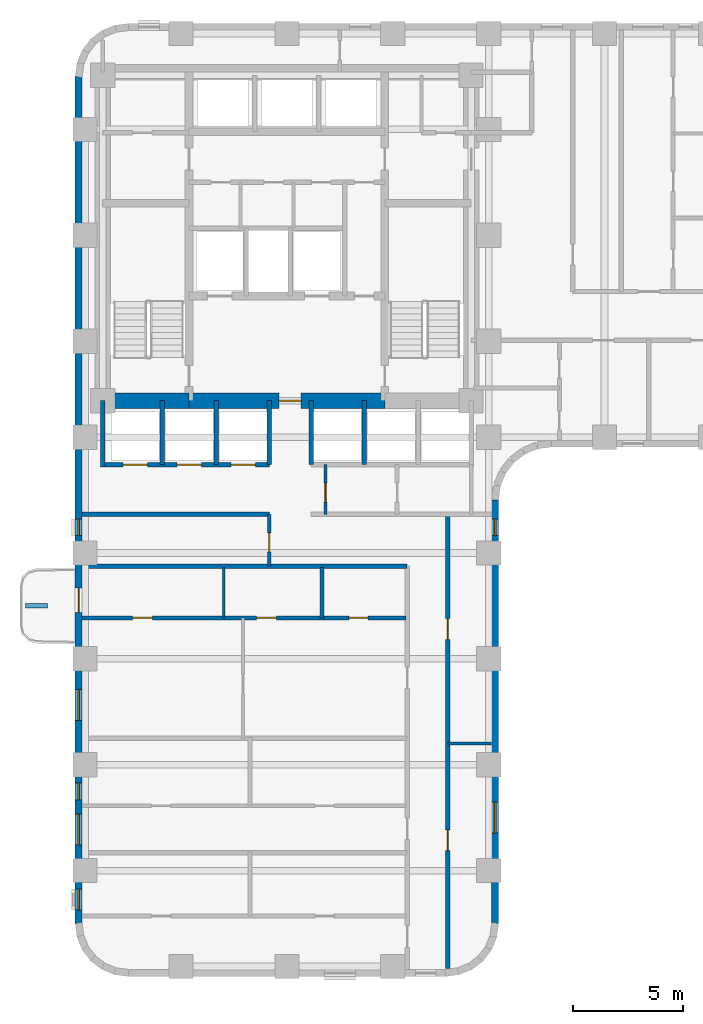
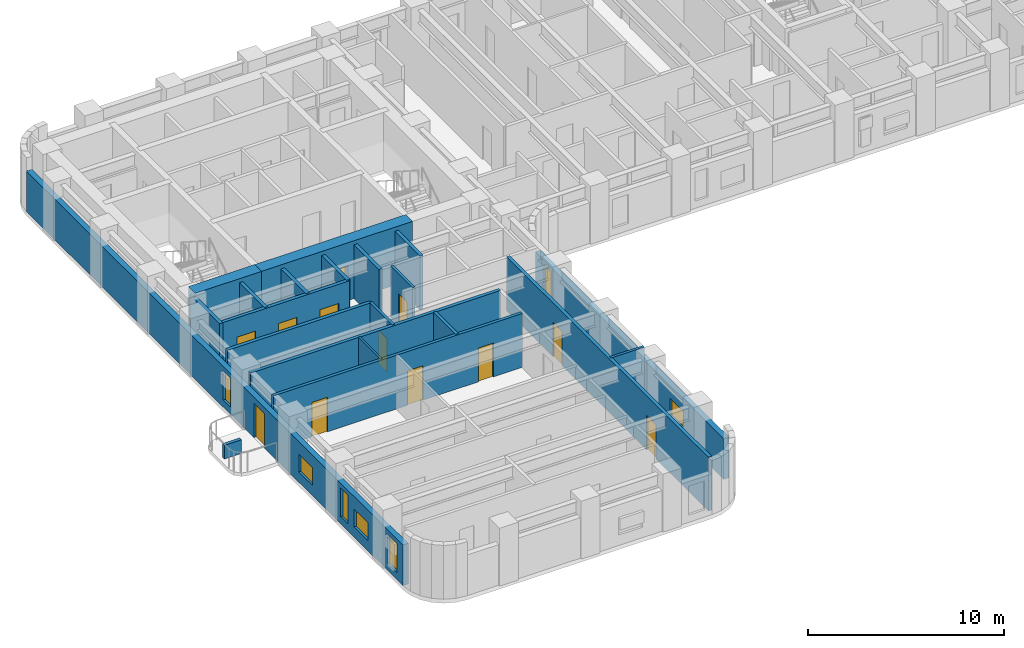
# One storey, part 3 of 11: 21 walls, 12 doors, 7 windows, 19 openings.
"""IFC4 building model written with IfcOpenShell, lengths in metres."""

from ifc_helpers import new_model, si_unit, direction, frame, frame_2d, origin, place, context, subcontext, project, spatial, rectangle, extrude, material, layer, layer_set, type_object, element, fill, save


model = new_model("IFC4")

# Units and contexts
model_context = context("Model", 3, precision=1e-05, world=origin(), true_north=direction((0.0, 1.0)))
body_context = subcontext(model_context, "Body", "Model", "MODEL_VIEW")
ifc_project = project(units=[si_unit("LENGTHUNIT", "METRE"), si_unit("AREAUNIT", "SQUARE_METRE"), si_unit("VOLUMEUNIT", "CUBIC_METRE"), si_unit("PLANEANGLEUNIT", "RADIAN"), si_unit("MASSUNIT", "GRAM", prefix="KILO")], contexts=[model_context])

# Site, building, storey
site_placement = place(None, origin())
site = spatial("IfcSite", under=ifc_project, at=site_placement, CompositionType="ELEMENT")
building_placement = place(site_placement, origin())
building = spatial("IfcBuilding", under=site, at=building_placement, Name="Orvandelia Arch Residences", CompositionType="ELEMENT")
storey_placement = place(building_placement, frame((0.0, 0.0, 82.60009765625)))
storey = spatial("IfcBuildingStorey", under=building, at=storey_placement, Name="L21", CompositionType="ELEMENT", Elevation=82.60009765625)

# Wall
ifc_material_1 = material(Name="Concrete C80/95", Category="concrete")
ifc_layer_1 = layer(ifc_material_1, 0.699951171875, Name="Concrete C80/95", Category="concrete")
ifc_layer_set_1 = layer_set([ifc_layer_1], Name="Concrete C80/95")
wall_type_1 = type_object("IfcWallType", Name="WL-CORE-700", PredefinedType="SHEAR", material=ifc_layer_set_1)
wall_1_placement = place(storey_placement, frame((6.050048828125, 30.89990234375, 0.0), z_axis=(0.0, 0.0, 1.0), x_axis=(1.0, 0.0, 0.0)))
element("IfcWall", 1, at=wall_1_placement, inside=storey, type_object=wall_type_1, Name="Core Shear Wall L21-SW", PredefinedType="SHEAR", context=body_context, shape_type="SweptSolid", body=[
    extrude(rectangle(XDim=3.909912109375, YDim=0.699951171875, at=frame_2d((1.955078125, 0.0))), origin(), (0.0, 0.0, 1.0), 3.599853515625),
])

# Wall, opening, door
wall_2_placement = place(storey_placement, frame((9.9599609375, 30.89990234375, 0.0), z_axis=(0.0, 0.0, 1.0), x_axis=(1.0, 0.0, 0.0)))
wall_2 = element("IfcWall", 2, at=wall_2_placement, inside=storey, type_object=wall_type_1, Name="Core Shear Wall L21-SM", PredefinedType="SHEAR", context=body_context, shape_type="SweptSolid", body=[
    extrude(rectangle(XDim=8.880126953125, YDim=0.699951171875, at=frame_2d((4.43994140625, 0.0))), origin(), (0.0, 0.0, 1.0), 3.599853515625),
])
opening_1_placement = place(wall_2_placement, frame((4.090087890625, 0.0, 0.0)))
opening_1 = element("IfcOpeningElement", 3, at=opening_1_placement, cuts=wall_2, Name="Opening D6", PredefinedType="OPENING", context=body_context, shape_type="SweptSolid", body=[
    extrude(rectangle(XDim=1.0, YDim=2.14990234375, at=frame_2d((0.5, 1.074951171875))), frame((0.0, 0.35986328125, 0.0), z_axis=(0.0, -1.0, 0.0), x_axis=(1.0, 0.0, 0.0)), (0.0, 0.0, 1.0), 0.719970703125),
])
ifc_material_2 = material(Name="Smokeproof Painted Steel Fire Door", Category="steel")
door_type_1 = type_object("IfcDoorType", Name="DR-FD60-1000", OperationType="NOTDEFINED", PredefinedType="DOOR", material=ifc_material_2)
door_1_placement = place(opening_1_placement, origin())
door_1 = element("IfcDoor", 4, at=door_1_placement, inside=storey, type_object=door_type_1, Name="Firefighting Lobby Smokeproof Door L21", OperationType="SINGLE_SWING_LEFT", OverallHeight=2.14990234375, OverallWidth=1.0, PredefinedType="DOOR", context=body_context, shape_type="SweptSolid", body=[
    extrude(rectangle(XDim=1.0, YDim=2.14990234375, at=frame_2d((0.5, 1.074951171875))), frame((0.0, 0.02490234375, 0.0), z_axis=(0.0, -1.0, 0.0), x_axis=(1.0, 0.0, 0.0)), (0.0, 0.0, 1.0), 0.050048828125),
])
fill(opening_1, door_1)

# Wall, openings, doors
ifc_material_3 = material(Name="Fire-Rated Corridor Partition")
ifc_layer_2 = layer(ifc_material_3, 0.199951171875, Name="Fire-Rated Corridor Partition")
ifc_layer_set_2 = layer_set([ifc_layer_2], Name="Fire-Rated Corridor Partition")
wall_type_2 = type_object("IfcWallType", Name="WL-CORR-200", PredefinedType="PARTITIONING", material=ifc_layer_set_2)
wall_3_placement = place(storey_placement, frame((21.699951171875, 5.159912109375, 0.0), z_axis=(0.0, 0.0, 1.0), x_axis=(0.0, 1.0, 0.0)))
wall_3 = element("IfcWall", 5, at=wall_3_placement, inside=storey, type_object=wall_type_2, Name="Interior Partition Wall WL-L21-WC-E", PredefinedType="PARTITIONING", context=body_context, shape_type="SweptSolid", body=[
    extrude(rectangle(XDim=20.590087890625, YDim=0.199951171875, at=frame_2d((10.294921875, 0.0))), origin(), (0.0, 0.0, 1.0), 3.349853515625),
])
opening_2_placement = place(wall_3_placement, frame((5.340087890625, 0.0, 0.0)))
opening_2 = element("IfcOpeningElement", 6, at=opening_2_placement, cuts=wall_3, Name="Opening D2", PredefinedType="OPENING", context=body_context, shape_type="SweptSolid", body=[
    extrude(rectangle(XDim=0.949951171875, YDim=2.14990234375, at=frame_2d((0.47509765625, 1.074951171875))), frame((0.0, 0.10986328125, 0.0), z_axis=(0.0, -1.0, 0.0), x_axis=(1.0, 0.0, 0.0)), (0.0, 0.0, 1.0), 0.219970703125),
])
opening_3_placement = place(wall_3_placement, frame((14.909912109375, 0.0, 0.0)))
opening_3 = element("IfcOpeningElement", 7, at=opening_3_placement, cuts=wall_3, Name="Opening D2", PredefinedType="OPENING", context=body_context, shape_type="SweptSolid", body=[
    extrude(rectangle(XDim=0.949951171875, YDim=2.14990234375, at=frame_2d((0.47509765625, 1.074951171875))), frame((0.0, 0.10986328125, 0.0), z_axis=(0.0, -1.0, 0.0), x_axis=(1.0, 0.0, 0.0)), (0.0, 0.0, 1.0), 0.219970703125),
])
ifc_material_4 = material(Name="Solid-Core Timber Interior Fire Door", Category="wood")
door_type_2 = type_object("IfcDoorType", Name="DR-APT-950", OperationType="NOTDEFINED", PredefinedType="DOOR", material=ifc_material_4)
door_2_placement = place(opening_2_placement, origin())
door_2 = element("IfcDoor", 8, at=door_2_placement, inside=storey, type_object=door_type_2, Name="DR-L21-EGALV1", OperationType="SINGLE_SWING_LEFT", OverallHeight=2.14990234375, OverallWidth=0.949951171875, PredefinedType="DOOR", context=body_context, shape_type="SweptSolid", body=[
    extrude(rectangle(XDim=0.949951171875, YDim=2.14990234375, at=frame_2d((0.47509765625, 1.074951171875))), frame((0.0, 0.02490234375, 0.0), z_axis=(0.0, -1.0, 0.0), x_axis=(1.0, 0.0, 0.0)), (0.0, 0.0, 1.0), 0.050048828125),
])
fill(opening_2, door_2)
door_3_placement = place(opening_3_placement, origin())
door_3 = element("IfcDoor", 9, at=door_3_placement, inside=storey, type_object=door_type_2, Name="DR-L21-EGLDY1", OperationType="SINGLE_SWING_RIGHT", OverallHeight=2.14990234375, OverallWidth=0.949951171875, PredefinedType="DOOR", context=body_context, shape_type="SweptSolid", body=[
    extrude(rectangle(XDim=0.949951171875, YDim=2.14990234375, at=frame_2d((0.47509765625, 1.074951171875))), frame((0.0, 0.02490234375, 0.0), z_axis=(0.0, -1.0, 0.0), x_axis=(1.0, 0.0, 0.0)), (0.0, 0.0, 1.0), 0.050048828125),
])
fill(opening_3, door_3)

# Walls
wall_4_placement = place(storey_placement, frame((5.1201171875, 23.39990234375, 0.0), z_axis=(0.0, 0.0, 1.0), x_axis=(1.0, 0.0, 0.0)))
element("IfcWall", 10, at=wall_4_placement, inside=storey, type_object=wall_type_2, Name="Interior Partition Wall WL-L21-WLNK-S", PredefinedType="PARTITIONING", context=body_context, shape_type="SweptSolid", body=[
    extrude(rectangle(XDim=14.72998046875, YDim=0.199951171875, at=frame_2d((7.364990234375, 0.0))), origin(), (0.0, 0.0, 1.0), 3.349853515625),
])
wall_5_placement = place(storey_placement, frame((5.1201171875, 25.75, 0.0), z_axis=(0.0, 0.0, 1.0), x_axis=(1.0, 0.0, 0.0)))
element("IfcWall", 11, at=wall_5_placement, inside=storey, type_object=wall_type_2, Name="Interior Partition Wall WL-L21-WLNK-NW2", PredefinedType="PARTITIONING", context=body_context, shape_type="SweptSolid", body=[
    extrude(rectangle(XDim=8.47998046875, YDim=0.199951171875, at=frame_2d((4.239990234375, 0.0))), origin(), (0.0, 0.0, 1.0), 3.349853515625),
])

# Wall, openings, windows
ifc_material_5 = material(Name="Precast concrete C40/50", Category="concrete")
ifc_layer_3 = layer(ifc_material_5, 0.320068359375, Name="Precast concrete C40/50", Category="concrete")
ifc_layer_set_3 = layer_set([ifc_layer_3], Name="Precast concrete C40/50")
wall_type_3 = type_object("IfcWallType", Name="WL-EXT-STONE-320", PredefinedType="STANDARD", material=ifc_layer_set_3)
wall_6_placement = place(storey_placement, frame((23.840087890625, 26.39990234375, 0.0), z_axis=(0.0, 0.0, 1.0), x_axis=(0.0, -1.0, 0.0)))
wall_6 = element("IfcWall", 12, at=wall_6_placement, inside=storey, type_object=wall_type_3, Name="Coral-Limestone Precast Facade Wall L21-028", PredefinedType="STANDARD", context=body_context, shape_type="SweptSolid", body=[
    extrude(rectangle(XDim=19.199951171875, YDim=0.320068359375, at=frame_2d((9.60009765625, 0.0))), origin(), (0.0, 0.0, 1.0), 2.52978515625),
])
opening_4_placement = place(wall_6_placement, frame((13.699951171875, 0.0, 0.64990234375)))
opening_4 = element("IfcOpeningElement", 13, at=opening_4_placement, cuts=wall_6, Name="Opening W10", PredefinedType="OPENING", context=body_context, shape_type="SweptSolid", body=[
    extrude(rectangle(XDim=1.39990234375, YDim=1.10009765625, at=frame_2d((0.699951171875, 0.550048828125))), frame((0.0, 0.169921875, 0.0), z_axis=(0.0, -1.0, 0.0), x_axis=(1.0, 0.0, 0.0)), (0.0, 0.0, 1.0), 0.340087890625),
])
opening_5_placement = place(wall_6_placement, frame((0.864990234375, 0.0, 0.449951171875)))
opening_5 = element("IfcOpeningElement", 14, at=opening_5_placement, cuts=wall_6, Name="Opening W11", PredefinedType="OPENING", context=body_context, shape_type="SweptSolid", body=[
    extrude(rectangle(XDim=0.75, YDim=1.800048828125, at=frame_2d((0.375, 0.89990234375))), frame((0.0, 0.169921875, 0.0), z_axis=(0.0, -1.0, 0.0), x_axis=(1.0, 0.0, 0.0)), (0.0, 0.0, 1.0), 0.340087890625),
])
ifc_material_6 = material(Name="Tempered Low-E Insulated Glazing", Category="glass")
window_type_1 = type_object("IfcWindowType", Name="WIN-BED-0750x1800", PartitioningType="SINGLE_PANEL", PredefinedType="WINDOW", material=ifc_material_6)
window_1_placement = place(opening_5_placement, origin())
window_1 = element("IfcWindow", 15, at=window_1_placement, inside=storey, type_object=window_type_1, Name="Recessed Punched Window L21-023", OverallHeight=1.800048828125, OverallWidth=0.75, PartitioningType="SINGLE_PANEL", PredefinedType="WINDOW", context=body_context, shape_type="SweptSolid", body=[
    extrude(rectangle(XDim=0.75, YDim=1.800048828125, at=frame_2d((0.375, 0.89990234375))), frame((0.0, 0.030029296875, 0.0), z_axis=(0.0, -1.0, 0.0), x_axis=(1.0, 0.0, 0.0)), (0.0, 0.0, 1.0), 0.06005859375),
])
fill(opening_5, window_1)
window_type_2 = type_object("IfcWindowType", Name="WIN-CLR-1400x1100", PartitioningType="SINGLE_PANEL", PredefinedType="WINDOW", material=ifc_material_6)
window_2_placement = place(opening_4_placement, origin())
window_2 = element("IfcWindow", 16, at=window_2_placement, inside=storey, type_object=window_type_2, Name="Recessed Punched Window L21-022", OverallHeight=1.10009765625, OverallWidth=1.39990234375, PartitioningType="SINGLE_PANEL", PredefinedType="WINDOW", context=body_context, shape_type="SweptSolid", body=[
    extrude(rectangle(XDim=1.39990234375, YDim=1.10009765625, at=frame_2d((0.699951171875, 0.550048828125))), frame((0.0, 0.030029296875, 0.0), z_axis=(0.0, -1.0, 0.0), x_axis=(1.0, 0.0, 0.0)), (0.0, 0.0, 1.0), 0.06005859375),
])
fill(opening_4, window_2)

# Wall, openings, door, windows
wall_7_placement = place(storey_placement, frame((4.9599609375, 7.199951171875, 0.0), z_axis=(0.0, 0.0, 1.0), x_axis=(0.0, 1.0, 0.0)))
wall_7 = element("IfcWall", 17, at=wall_7_placement, inside=storey, type_object=wall_type_3, Name="Coral-Limestone Precast Facade Wall L21-042", PredefinedType="STANDARD", context=body_context, shape_type="SweptSolid", body=[
    extrude(rectangle(XDim=38.400146484375, YDim=0.320068359375, at=frame_2d((19.2001953125, 0.0))), origin(), (0.0, 0.0, 1.0), 2.52978515625),
])
opening_6_placement = place(wall_7_placement, frame((14.10009765625, 0.0, 0.0)))
opening_6 = element("IfcOpeningElement", 18, at=opening_6_placement, cuts=wall_7, Name="Opening BD1", PredefinedType="OPENING", context=body_context, shape_type="SweptSolid", body=[
    extrude(rectangle(XDim=1.10009765625, YDim=2.14990234375, at=frame_2d((0.550048828125, 1.074951171875))), frame((0.0, 0.169921875, 0.0), z_axis=(0.0, -1.0, 0.0), x_axis=(1.0, 0.0, 0.0)), (0.0, 0.0, 1.0), 0.340087890625),
])
opening_7_placement = place(wall_7_placement, frame((3.570068359375, 0.0, 0.64990234375)))
opening_7 = element("IfcOpeningElement", 19, at=opening_7_placement, cuts=wall_7, Name="Opening W10", PredefinedType="OPENING", context=body_context, shape_type="SweptSolid", body=[
    extrude(rectangle(XDim=1.39990234375, YDim=1.10009765625, at=frame_2d((0.699951171875, 0.550048828125))), frame((0.0, 0.169921875, 0.0), z_axis=(0.0, -1.0, 0.0), x_axis=(1.0, 0.0, 0.0)), (0.0, 0.0, 1.0), 0.340087890625),
])
opening_8_placement = place(wall_7_placement, frame((0.611083984375, 0.0, 0.449951171875)))
opening_8 = element("IfcOpeningElement", 20, at=opening_8_placement, cuts=wall_7, Name="Opening W4", PredefinedType="OPENING", context=body_context, shape_type="SweptSolid", body=[
    extrude(rectangle(XDim=0.949951171875, YDim=1.800048828125, at=frame_2d((0.47509765625, 0.89990234375))), frame((0.0, 0.169921875, 0.0), z_axis=(0.0, -1.0, 0.0), x_axis=(1.0, 0.0, 0.0)), (0.0, 0.0, 1.0), 0.340087890625),
])
opening_9_placement = place(wall_7_placement, frame((5.610107421875, 0.0, 0.449951171875)))
opening_9 = element("IfcOpeningElement", 21, at=opening_9_placement, cuts=wall_7, Name="Opening W11", PredefinedType="OPENING", context=body_context, shape_type="SweptSolid", body=[
    extrude(rectangle(XDim=0.75, YDim=1.800048828125, at=frame_2d((0.375, 0.89990234375))), frame((0.0, 0.169921875, 0.0), z_axis=(0.0, -1.0, 0.0), x_axis=(1.0, 0.0, 0.0)), (0.0, 0.0, 1.0), 0.340087890625),
])
opening_10_placement = place(wall_7_placement, frame((9.215087890625, 0.0, 0.64990234375)))
opening_10 = element("IfcOpeningElement", 22, at=opening_10_placement, cuts=wall_7, Name="Opening W10", PredefinedType="OPENING", context=body_context, shape_type="SweptSolid", body=[
    extrude(rectangle(XDim=1.39990234375, YDim=1.10009765625, at=frame_2d((0.699951171875, 0.550048828125))), frame((0.0, 0.169921875, 0.0), z_axis=(0.0, -1.0, 0.0), x_axis=(1.0, 0.0, 0.0)), (0.0, 0.0, 1.0), 0.340087890625),
])
opening_11_placement = place(wall_7_placement, frame((17.580078125, 0.0, 0.449951171875)))
opening_11 = element("IfcOpeningElement", 23, at=opening_11_placement, cuts=wall_7, Name="Opening W11", PredefinedType="OPENING", context=body_context, shape_type="SweptSolid", body=[
    extrude(rectangle(XDim=0.75, YDim=1.800048828125, at=frame_2d((0.375, 0.89990234375))), frame((0.0, 0.169921875, 0.0), z_axis=(0.0, -1.0, 0.0), x_axis=(1.0, 0.0, 0.0)), (0.0, 0.0, 1.0), 0.340087890625),
])
ifc_material_7 = material(Name="Thermally Broken Aluminium Glazed Door", Category="aluminium")
door_type_3 = type_object("IfcDoorType", Name="DR-BAL-GLAZ-1100", OperationType="NOTDEFINED", PredefinedType="DOOR", material=ifc_material_7)
door_4_placement = place(opening_6_placement, origin())
door_4 = element("IfcDoor", 24, at=door_4_placement, inside=storey, type_object=door_type_3, Name="Tree Balcony Glazed Door BAL-L21-W1", OperationType="SINGLE_SWING_RIGHT", OverallHeight=2.14990234375, OverallWidth=1.10009765625, PredefinedType="DOOR", context=body_context, shape_type="SweptSolid", body=[
    extrude(rectangle(XDim=1.10009765625, YDim=2.14990234375, at=frame_2d((0.550048828125, 1.074951171875))), frame((0.0, 0.02490234375, 0.0), z_axis=(0.0, -1.0, 0.0), x_axis=(1.0, 0.0, 0.0)), (0.0, 0.0, 1.0), 0.050048828125),
])
fill(opening_6, door_4)
window_3_placement = place(opening_9_placement, origin())
window_3 = element("IfcWindow", 25, at=window_3_placement, inside=storey, type_object=window_type_1, Name="Recessed Punched Window L21-028", OverallHeight=1.800048828125, OverallWidth=0.75, PartitioningType="SINGLE_PANEL", PredefinedType="WINDOW", context=body_context, shape_type="SweptSolid", body=[
    extrude(rectangle(XDim=0.75, YDim=1.800048828125, at=frame_2d((0.375, 0.89990234375))), frame((0.0, 0.030029296875, 0.0), z_axis=(0.0, -1.0, 0.0), x_axis=(1.0, 0.0, 0.0)), (0.0, 0.0, 1.0), 0.06005859375),
])
fill(opening_9, window_3)
window_4_placement = place(opening_11_placement, origin())
window_4 = element("IfcWindow", 26, at=window_4_placement, inside=storey, type_object=window_type_1, Name="Recessed Punched Window L21-030", OverallHeight=1.800048828125, OverallWidth=0.75, PartitioningType="SINGLE_PANEL", PredefinedType="WINDOW", context=body_context, shape_type="SweptSolid", body=[
    extrude(rectangle(XDim=0.75, YDim=1.800048828125, at=frame_2d((0.375, 0.89990234375))), frame((0.0, 0.030029296875, 0.0), z_axis=(0.0, -1.0, 0.0), x_axis=(1.0, 0.0, 0.0)), (0.0, 0.0, 1.0), 0.06005859375),
])
fill(opening_11, window_4)
window_5_placement = place(opening_7_placement, origin())
window_5 = element("IfcWindow", 27, at=window_5_placement, inside=storey, type_object=window_type_2, Name="Recessed Punched Window L21-026", OverallHeight=1.10009765625, OverallWidth=1.39990234375, PartitioningType="SINGLE_PANEL", PredefinedType="WINDOW", context=body_context, shape_type="SweptSolid", body=[
    extrude(rectangle(XDim=1.39990234375, YDim=1.10009765625, at=frame_2d((0.699951171875, 0.550048828125))), frame((0.0, 0.030029296875, 0.0), z_axis=(0.0, -1.0, 0.0), x_axis=(1.0, 0.0, 0.0)), (0.0, 0.0, 1.0), 0.06005859375),
])
fill(opening_7, window_5)
window_6_placement = place(opening_10_placement, origin())
window_6 = element("IfcWindow", 28, at=window_6_placement, inside=storey, type_object=window_type_2, Name="Recessed Punched Window L21-029", OverallHeight=1.10009765625, OverallWidth=1.39990234375, PartitioningType="SINGLE_PANEL", PredefinedType="WINDOW", context=body_context, shape_type="SweptSolid", body=[
    extrude(rectangle(XDim=1.39990234375, YDim=1.10009765625, at=frame_2d((0.699951171875, 0.550048828125))), frame((0.0, 0.030029296875, 0.0), z_axis=(0.0, -1.0, 0.0), x_axis=(1.0, 0.0, 0.0)), (0.0, 0.0, 1.0), 0.06005859375),
])
fill(opening_10, window_6)
window_type_3 = type_object("IfcWindowType", Name="WIN-RES-0950x1800", PartitioningType="SINGLE_PANEL", PredefinedType="WINDOW", material=ifc_material_6)
window_7_placement = place(opening_8_placement, origin())
window_7 = element("IfcWindow", 29, at=window_7_placement, inside=storey, type_object=window_type_3, Name="Recessed Punched Window L21-027", OverallHeight=1.800048828125, OverallWidth=0.949951171875, PartitioningType="SINGLE_PANEL", PredefinedType="WINDOW", context=body_context, shape_type="SweptSolid", body=[
    extrude(rectangle(XDim=0.949951171875, YDim=1.800048828125, at=frame_2d((0.47509765625, 0.89990234375))), frame((0.0, 0.030029296875, 0.0), z_axis=(0.0, -1.0, 0.0), x_axis=(1.0, 0.0, 0.0)), (0.0, 0.0, 1.0), 0.06005859375),
])
fill(opening_8, window_7)

# Wall
ifc_material_8 = material(Name="Lightweight Gypsum Stud Partition")
ifc_layer_4 = layer(ifc_material_8, 0.1201171875, Name="Lightweight Gypsum Stud Partition")
ifc_layer_set_4 = layer_set([ifc_layer_4], Name="Lightweight Gypsum Stud Partition")
wall_type_4 = type_object("IfcWallType", Name="WL-PART-120", PredefinedType="PARTITIONING", material=ifc_layer_set_4)
wall_8_placement = place(storey_placement, frame((11.541015625, 21.06005859375, 0.0), z_axis=(0.0, 0.0, 1.0), x_axis=(0.0, 1.0, 0.0)))
element("IfcWall", 30, at=wall_8_placement, inside=storey, type_object=wall_type_4, Name="Interior Partition Wall WL-L21-U03-V1", PredefinedType="PARTITIONING", context=body_context, shape_type="SweptSolid", body=[
    extrude(rectangle(XDim=2.280029296875, YDim=0.1201171875, at=frame_2d((1.14013671875, 0.0))), origin(), (0.0, 0.0, 1.0), 3.349853515625),
])

# Wall, opening, door
ifc_material_9 = material(Name="Acoustic Gypsum Stud Partition")
ifc_layer_5 = layer(ifc_material_9, 0.14990234375, Name="Acoustic Gypsum Stud Partition")
ifc_layer_set_5 = layer_set([ifc_layer_5], Name="Acoustic Gypsum Stud Partition")
wall_type_5 = type_object("IfcWallType", Name="WL-PART-150", PredefinedType="PARTITIONING", material=ifc_layer_set_5)
wall_9_placement = place(storey_placement, frame((16.14990234375, 25.75, 0.0), z_axis=(0.0, 0.0, 1.0), x_axis=(0.0, 1.0, 0.0)))
wall_9 = element("IfcWall", 31, at=wall_9_placement, inside=storey, type_object=wall_type_5, Name="Interior Partition Wall WL-L21-HLS-EW", PredefinedType="PARTITIONING", context=body_context, shape_type="SweptSolid", body=[
    extrude(rectangle(XDim=2.25, YDim=0.14990234375, at=frame_2d((1.125, 0.0))), origin(), (0.0, 0.0, 1.0), 3.349853515625),
])
opening_12_placement = place(wall_9_placement, frame((0.550048828125, 0.0, 0.0)))
opening_12 = element("IfcOpeningElement", 32, at=opening_12_placement, cuts=wall_9, Name="Opening D5", PredefinedType="OPENING", context=body_context, shape_type="SweptSolid", body=[
    extrude(rectangle(XDim=0.8798828125, YDim=2.10009765625, at=frame_2d((0.43994140625, 1.050048828125))), frame((0.0, 0.0849609375, 0.0), z_axis=(0.0, -1.0, 0.0), x_axis=(1.0, 0.0, 0.0)), (0.0, 0.0, 1.0), 0.169921875),
])
ifc_material_10 = material(Name="Painted Galvanised Steel Service Door", Category="steel")
door_type_4 = type_object("IfcDoorType", Name="DR-SRV-880", OperationType="NOTDEFINED", PredefinedType="DOOR", material=ifc_material_10)
door_5_placement = place(opening_12_placement, origin())
door_5 = element("IfcDoor", 33, at=door_5_placement, inside=storey, type_object=door_type_4, Name="DR-L21-CSZ1A", OperationType="SINGLE_SWING_LEFT", OverallHeight=2.10009765625, OverallWidth=0.8798828125, PredefinedType="DOOR", context=body_context, shape_type="SweptSolid", body=[
    extrude(rectangle(XDim=0.8798828125, YDim=2.10009765625, at=frame_2d((0.43994140625, 1.050048828125))), frame((0.0, 0.02490234375, 0.0), z_axis=(0.0, -1.0, 0.0), x_axis=(1.0, 0.0, 0.0)), (0.0, 0.0, 1.0), 0.050048828125),
])
fill(opening_12, door_5)

wall_10_placement = place(storey_placement, frame((13.60009765625, 23.39990234375, 0.0), z_axis=(0.0, 0.0, 1.0), x_axis=(0.0, 1.0, 0.0)))
wall_10 = element("IfcWall", 34, at=wall_10_placement, inside=storey, type_object=wall_type_5, Name="Interior Partition Wall WL-L21-WLNK-W", PredefinedType="PARTITIONING", context=body_context, shape_type="SweptSolid", body=[
    extrude(rectangle(XDim=2.35009765625, YDim=0.14990234375, at=frame_2d((1.175048828125, 0.0))), origin(), (0.0, 0.0, 1.0), 3.349853515625),
])
opening_13_placement = place(wall_10_placement, frame((0.64990234375, 0.0, 0.0)))
opening_13 = element("IfcOpeningElement", 35, at=opening_13_placement, cuts=wall_10, Name="Opening D4", PredefinedType="OPENING", context=body_context, shape_type="SweptSolid", body=[
    extrude(rectangle(XDim=0.860107421875, YDim=2.10009765625, at=frame_2d((0.43017578125, 1.050048828125))), frame((0.0, 0.0849609375, 0.0), z_axis=(0.0, -1.0, 0.0), x_axis=(1.0, 0.0, 0.0)), (0.0, 0.0, 1.0), 0.169921875),
])
ifc_material_11 = material(Name="Moisture-Sealed Timber Bathroom Door", Category="wood")
door_type_5 = type_object("IfcDoorType", Name="DR-WET-900", OperationType="NOTDEFINED", PredefinedType="DOOR", material=ifc_material_11)
door_6_placement = place(opening_13_placement, origin())
door_6 = element("IfcDoor", 36, at=door_6_placement, inside=storey, type_object=door_type_5, Name="DR-L21-WLNKST", OperationType="SINGLE_SWING_LEFT", OverallHeight=2.10009765625, OverallWidth=0.860107421875, PredefinedType="DOOR", context=body_context, shape_type="SweptSolid", body=[
    extrude(rectangle(XDim=0.860107421875, YDim=2.10009765625, at=frame_2d((0.43017578125, 1.050048828125))), frame((0.0, 0.02490234375, 0.0), z_axis=(0.0, -1.0, 0.0), x_axis=(1.0, 0.0, 0.0)), (0.0, 0.0, 1.0), 0.050048828125),
])
fill(opening_13, door_6)

# Walls
wall_11_placement = place(storey_placement, frame((21.699951171875, 15.360107421875, 0.0), z_axis=(0.0, 0.0, 1.0), x_axis=(1.0, 0.0, 0.0)))
element("IfcWall", 37, at=wall_11_placement, inside=storey, type_object=wall_type_5, Name="Interior Partition Wall WL-L21-EGDIV-1", PredefinedType="PARTITIONING", context=body_context, shape_type="SweptSolid", body=[
    extrude(rectangle(XDim=1.97998046875, YDim=0.14990234375, at=frame_2d((0.989990234375, 0.0))), origin(), (0.0, 0.0, 1.0), 3.349853515625),
])
ifc_layer_6 = layer(ifc_material_5, 0.199951171875, Name="Precast concrete C40/50", Category="concrete")
ifc_layer_set_6 = layer_set([ifc_layer_6], Name="Precast concrete C40/50")
wall_type_6 = type_object("IfcWallType", Name="WL-PLANTER-200", PredefinedType="MOVABLE", material=ifc_layer_set_6)
wall_12_placement = place(storey_placement, frame((2.550048828125, 21.60009765625, 0.0), z_axis=(0.0, 0.0, 1.0), x_axis=(1.0, 0.0, 0.0)))
element("IfcWall", 38, at=wall_12_placement, inside=storey, type_object=wall_type_6, Name="Balcony Precast Tree Planter BAL-L21-W1", PredefinedType="MOVABLE", context=body_context, shape_type="SweptSolid", body=[
    extrude(rectangle(XDim=1.0, YDim=0.199951171875, at=frame_2d((0.5, 0.0))), origin(), (0.0, 0.0, 1.0), 0.849853515625),
])

# Wall, openings, doors
ifc_material_12 = material(Name="Fire-Rated Shaft Enclosure Wall")
ifc_layer_7 = layer(ifc_material_12, 0.199951171875, Name="Fire-Rated Shaft Enclosure Wall")
ifc_layer_set_7 = layer_set([ifc_layer_7], Name="Fire-Rated Shaft Enclosure Wall")
wall_type_7 = type_object("IfcWallType", Name="WL-SHAFT-200", PredefinedType="POLYGONAL", material=ifc_layer_set_7)
wall_13_placement = place(storey_placement, frame((6.050048828125, 28.0, 0.0), z_axis=(0.0, 0.0, 1.0), x_axis=(1.0, 0.0, 0.0)))
wall_13 = element("IfcWall", 39, at=wall_13_placement, inside=storey, type_object=wall_type_7, Name="Interior Partition Wall WL-L21-BNKL-S", PredefinedType="POLYGONAL", context=body_context, shape_type="SweptSolid", body=[
    extrude(rectangle(XDim=7.550048828125, YDim=0.199951171875, at=frame_2d((3.77490234375, 0.0))), origin(), (0.0, 0.0, 1.0), 3.349853515625),
])
opening_14_placement = place(wall_13_placement, frame((0.925048828125, 0.0, 0.0)))
opening_14 = element("IfcOpeningElement", 40, at=opening_14_placement, cuts=wall_13, Name="Opening LD", PredefinedType="OPENING", context=body_context, shape_type="SweptSolid", body=[
    extrude(rectangle(XDim=1.10009765625, YDim=2.14990234375, at=frame_2d((0.550048828125, 1.074951171875))), frame((0.0, 0.10986328125, 0.0), z_axis=(0.0, -1.0, 0.0), x_axis=(1.0, 0.0, 0.0)), (0.0, 0.0, 1.0), 0.219970703125),
])
opening_15_placement = place(wall_13_placement, frame((3.375, 0.0, 0.0)))
opening_15 = element("IfcOpeningElement", 41, at=opening_15_placement, cuts=wall_13, Name="Opening LD", PredefinedType="OPENING", context=body_context, shape_type="SweptSolid", body=[
    extrude(rectangle(XDim=1.10009765625, YDim=2.14990234375, at=frame_2d((0.550048828125, 1.074951171875))), frame((0.0, 0.10986328125, 0.0), z_axis=(0.0, -1.0, 0.0), x_axis=(1.0, 0.0, 0.0)), (0.0, 0.0, 1.0), 0.219970703125),
])
opening_16_placement = place(wall_13_placement, frame((5.824951171875, 0.0, 0.0)))
opening_16 = element("IfcOpeningElement", 42, at=opening_16_placement, cuts=wall_13, Name="Opening LD", PredefinedType="OPENING", context=body_context, shape_type="SweptSolid", body=[
    extrude(rectangle(XDim=1.10009765625, YDim=2.14990234375, at=frame_2d((0.550048828125, 1.074951171875))), frame((0.0, 0.10986328125, 0.0), z_axis=(0.0, -1.0, 0.0), x_axis=(1.0, 0.0, 0.0)), (0.0, 0.0, 1.0), 0.219970703125),
])
ifc_material_13 = material(Name="Brushed Stainless Steel Sliding Lift Door", Category="steel")
door_type_6 = type_object("IfcDoorType", Name="DR-LIFT-1100", OperationType="NOTDEFINED", PredefinedType="DOOR", material=ifc_material_13)
door_7_placement = place(opening_14_placement, origin())
door_7 = element("IfcDoor", 43, at=door_7_placement, inside=storey, type_object=door_type_6, Name="Lift Landing Door LD-PL1", OperationType="SLIDING_TO_LEFT", OverallHeight=2.14990234375, OverallWidth=1.10009765625, PredefinedType="DOOR", context=body_context, shape_type="SweptSolid", body=[
    extrude(rectangle(XDim=1.10009765625, YDim=2.14990234375, at=frame_2d((0.550048828125, 1.074951171875))), frame((0.0, 0.02490234375, 0.0), z_axis=(0.0, -1.0, 0.0), x_axis=(1.0, 0.0, 0.0)), (0.0, 0.0, 1.0), 0.050048828125),
])
fill(opening_14, door_7)
door_8_placement = place(opening_15_placement, origin())
door_8 = element("IfcDoor", 44, at=door_8_placement, inside=storey, type_object=door_type_6, Name="Lift Landing Door LD-PL2", OperationType="SLIDING_TO_RIGHT", OverallHeight=2.14990234375, OverallWidth=1.10009765625, PredefinedType="DOOR", context=body_context, shape_type="SweptSolid", body=[
    extrude(rectangle(XDim=1.10009765625, YDim=2.14990234375, at=frame_2d((0.550048828125, 1.074951171875))), frame((0.0, 0.02490234375, 0.0), z_axis=(0.0, -1.0, 0.0), x_axis=(1.0, 0.0, 0.0)), (0.0, 0.0, 1.0), 0.050048828125),
])
fill(opening_15, door_8)
door_9_placement = place(opening_16_placement, origin())
door_9 = element("IfcDoor", 45, at=door_9_placement, inside=storey, type_object=door_type_6, Name="Lift Landing Door LD-PL3", OperationType="SLIDING_TO_LEFT", OverallHeight=2.14990234375, OverallWidth=1.10009765625, PredefinedType="DOOR", context=body_context, shape_type="SweptSolid", body=[
    extrude(rectangle(XDim=1.10009765625, YDim=2.14990234375, at=frame_2d((0.550048828125, 1.074951171875))), frame((0.0, 0.02490234375, 0.0), z_axis=(0.0, -1.0, 0.0), x_axis=(1.0, 0.0, 0.0)), (0.0, 0.0, 1.0), 0.050048828125),
])
fill(opening_16, door_9)

# Walls
wall_14_placement = place(storey_placement, frame((6.050048828125, 27.89990234375, 0.0), z_axis=(0.0, 0.0, 1.0), x_axis=(0.0, 1.0, 0.0)))
element("IfcWall", 46, at=wall_14_placement, inside=storey, type_object=wall_type_7, Name="Interior Partition Wall WL-L21-BNKL-W", PredefinedType="POLYGONAL", context=body_context, shape_type="SweptSolid", body=[
    extrude(rectangle(XDim=3.0, YDim=0.199951171875, at=frame_2d((1.5, 0.0))), origin(), (0.0, 0.0, 1.0), 3.349853515625),
])
for number, where, z_axis, x_axis, name in (
    (47, (13.60009765625, 28.0, 0.0), (0.0, 0.0, 1.0), (0.0, 1.0, 0.0), "Interior Partition Wall WL-L21-BNKL-E"),
    (48, (15.5, 28.0, 0.0), (0.0, 0.0, 1.0), (0.0, 1.0, 0.0), "Interior Partition Wall WL-L21-BNKM-W"),
    (49, (8.75, 28.0, 0.0), (0.0, 0.0, 1.0), (0.0, 1.0, 0.0), "Interior Partition Wall WL-L21-BNKD-875"),
    (50, (11.199951171875, 28.0, 0.0), (0.0, 0.0, 1.0), (0.0, 1.0, 0.0), "Interior Partition Wall WL-L21-BNKD-1120"),
    (51, (17.89990234375, 28.0, 0.0), (0.0, 0.0, 1.0), (0.0, 1.0, 0.0), "Interior Partition Wall WL-L21-BNKD-1789"),
):
    element("IfcWall", number, at=place(storey_placement, frame(where, z_axis=z_axis, x_axis=x_axis)), inside=storey, type_object=wall_type_7, Name=name, PredefinedType="POLYGONAL", context=body_context, shape_type="SweptSolid", body=[
        extrude(rectangle(XDim=2.89990234375, YDim=0.199951171875, at=frame_2d((1.449951171875, 0.0))), origin(), (0.0, 0.0, 1.0), 3.349853515625),
    ])

# Wall, openings, doors
ifc_material_14 = material(Name="Moisture-Resistant Plumbing Wall")
ifc_layer_8 = layer(ifc_material_14, 0.179931640625, Name="Moisture-Resistant Plumbing Wall")
ifc_layer_set_8 = layer_set([ifc_layer_8], Name="Moisture-Resistant Plumbing Wall")
wall_type_8 = type_object("IfcWallType", Name="WL-WET-180", PredefinedType="PLUMBINGWALL", material=ifc_layer_set_8)
wall_15_placement = place(storey_placement, frame((5.1201171875, 21.06005859375, 0.0), z_axis=(0.0, 0.0, 1.0), x_axis=(1.0, 0.0, 0.0)))
wall_15 = element("IfcWall", 52, at=wall_15_placement, inside=storey, type_object=wall_type_8, Name="Interior Partition Wall WL-L21-U03-HZ", PredefinedType="PLUMBINGWALL", context=body_context, shape_type="SweptSolid", body=[
    extrude(rectangle(XDim=14.669921875, YDim=0.179931640625, at=frame_2d((7.3349609375, 0.0))), origin(), (0.0, 0.0, 1.0), 3.349853515625),
])
opening_17_placement = place(wall_15_placement, frame((2.283935546875, 0.0, 0.0)))
opening_17 = element("IfcOpeningElement", 53, at=opening_17_placement, cuts=wall_15, Name="Opening D3", PredefinedType="OPENING", context=body_context, shape_type="SweptSolid", body=[
    extrude(rectangle(XDim=0.89990234375, YDim=2.14990234375, at=frame_2d((0.449951171875, 1.074951171875))), frame((0.0, 0.10009765625, 0.0), z_axis=(0.0, -1.0, 0.0), x_axis=(1.0, 0.0, 0.0)), (0.0, 0.0, 1.0), 0.199951171875),
])
opening_18_placement = place(wall_15_placement, frame((7.90771484375, 0.0, 0.0)))
opening_18 = element("IfcOpeningElement", 54, at=opening_18_placement, cuts=wall_15, Name="Opening D3", PredefinedType="OPENING", context=body_context, shape_type="SweptSolid", body=[
    extrude(rectangle(XDim=0.89990234375, YDim=2.14990234375, at=frame_2d((0.449951171875, 1.074951171875))), frame((0.0, 0.10009765625, 0.0), z_axis=(0.0, -1.0, 0.0), x_axis=(1.0, 0.0, 0.0)), (0.0, 0.0, 1.0), 0.199951171875),
])
opening_19_placement = place(wall_15_placement, frame((12.087890625, 0.0, 0.0)))
opening_19 = element("IfcOpeningElement", 55, at=opening_19_placement, cuts=wall_15, Name="Opening D4", PredefinedType="OPENING", context=body_context, shape_type="SweptSolid", body=[
    extrude(rectangle(XDim=0.860107421875, YDim=2.10009765625, at=frame_2d((0.43017578125, 1.050048828125))), frame((0.0, 0.10009765625, 0.0), z_axis=(0.0, -1.0, 0.0), x_axis=(1.0, 0.0, 0.0)), (0.0, 0.0, 1.0), 0.199951171875),
])
ifc_material_15 = material(Name="Engineered Timber Flush Door", Category="wood")
door_type_7 = type_object("IfcDoorType", Name="DR-INT-900", OperationType="NOTDEFINED", PredefinedType="DOOR", material=ifc_material_15)
door_10_placement = place(opening_17_placement, origin())
door_10 = element("IfcDoor", 56, at=door_10_placement, inside=storey, type_object=door_type_7, Name="DR-L21-U03-BD1", OperationType="SINGLE_SWING_LEFT", OverallHeight=2.14990234375, OverallWidth=0.89990234375, PredefinedType="DOOR", context=body_context, shape_type="SweptSolid", body=[
    extrude(rectangle(XDim=0.89990234375, YDim=2.14990234375, at=frame_2d((0.449951171875, 1.074951171875))), frame((0.0, 0.02490234375, 0.0), z_axis=(0.0, -1.0, 0.0), x_axis=(1.0, 0.0, 0.0)), (0.0, 0.0, 1.0), 0.050048828125),
])
fill(opening_17, door_10)
door_11_placement = place(opening_18_placement, origin())
door_11 = element("IfcDoor", 57, at=door_11_placement, inside=storey, type_object=door_type_7, Name="DR-L21-U03-KIT", OperationType="SINGLE_SWING_RIGHT", OverallHeight=2.14990234375, OverallWidth=0.89990234375, PredefinedType="DOOR", context=body_context, shape_type="SweptSolid", body=[
    extrude(rectangle(XDim=0.89990234375, YDim=2.14990234375, at=frame_2d((0.449951171875, 1.074951171875))), frame((0.0, 0.02490234375, 0.0), z_axis=(0.0, -1.0, 0.0), x_axis=(1.0, 0.0, 0.0)), (0.0, 0.0, 1.0), 0.050048828125),
])
fill(opening_18, door_11)
door_12_placement = place(opening_19_placement, origin())
door_12 = element("IfcDoor", 58, at=door_12_placement, inside=storey, type_object=door_type_5, Name="DR-L21-U03-BTH", OperationType="SINGLE_SWING_LEFT", OverallHeight=2.10009765625, OverallWidth=0.860107421875, PredefinedType="DOOR", context=body_context, shape_type="SweptSolid", body=[
    extrude(rectangle(XDim=0.860107421875, YDim=2.10009765625, at=frame_2d((0.43017578125, 1.050048828125))), frame((0.0, 0.02490234375, 0.0), z_axis=(0.0, -1.0, 0.0), x_axis=(1.0, 0.0, 0.0)), (0.0, 0.0, 1.0), 0.050048828125),
])
fill(opening_19, door_12)

# Wall
wall_16_placement = place(storey_placement, frame((15.9951171875, 21.06005859375, 0.0), z_axis=(0.0, 0.0, 1.0), x_axis=(0.0, 1.0, 0.0)))
element("IfcWall", 59, at=wall_16_placement, inside=storey, type_object=wall_type_8, Name="Interior Partition Wall WL-L21-U03-V2", PredefinedType="PLUMBINGWALL", context=body_context, shape_type="SweptSolid", body=[
    extrude(rectangle(XDim=2.280029296875, YDim=0.179931640625, at=frame_2d((1.14013671875, 0.0))), origin(), (0.0, 0.0, 1.0), 3.349853515625),
])

save(model, "model.ifc")
